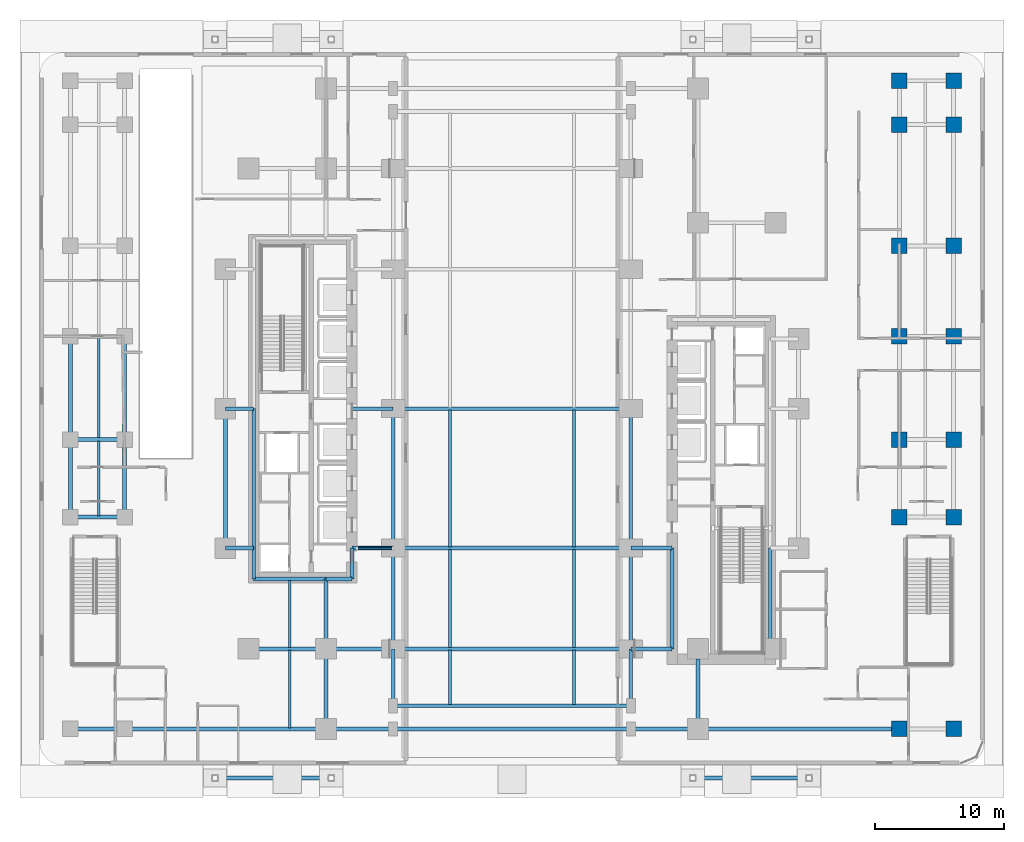
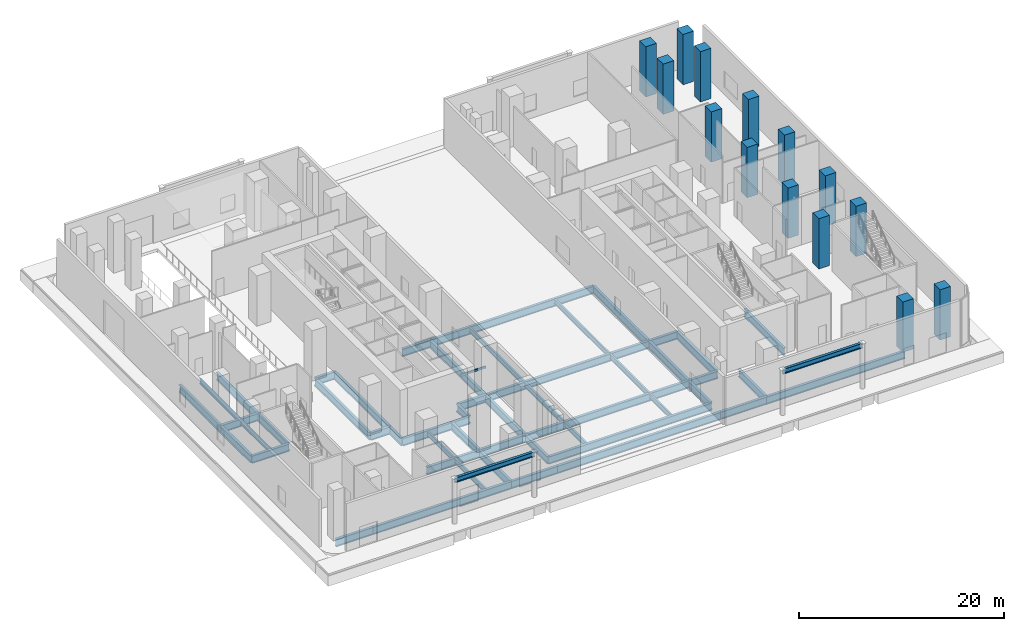
# One storey, part 4 of 22: 54 beams, 14 columns.
"""IFC4 building model written with IfcOpenShell, lengths in metres."""

from ifc_helpers import new_model, si_unit, direction, frame, origin, origin_2d, place, context, subcontext, project, spatial, rectangle, hollow_rectangle, i_section, extrude, material, material_profile, profile_set, type_object, element, save


model = new_model("IFC4")

# Units and contexts
model_context = context("Model", 3, precision=1e-05, world=origin(), true_north=direction((0.0, 1.0)))
body_context = subcontext(model_context, "Body", "Model", "MODEL_VIEW")
ifc_project = project(units=[si_unit("LENGTHUNIT", "METRE"), si_unit("AREAUNIT", "SQUARE_METRE"), si_unit("VOLUMEUNIT", "CUBIC_METRE"), si_unit("PLANEANGLEUNIT", "RADIAN"), si_unit("MASSUNIT", "GRAM", prefix="KILO")], contexts=[model_context])

# Site, building, storey
site_placement = place(None, origin())
site = spatial("IfcSite", under=ifc_project, at=site_placement, CompositionType="ELEMENT")
building_placement = place(site_placement, origin())
building = spatial("IfcBuilding", under=site, at=building_placement, Name="Khairoan Windgate Tower", CompositionType="ELEMENT")
storey_placement = place(building_placement, origin())
storey = spatial("IfcBuildingStorey", under=building, at=storey_placement, Name="L01", CompositionType="ELEMENT", Elevation=0.0)

# Columns
ifc_material_1 = material(Name="Concrete C60/75", Category="concrete")
ifc_material_profile_1 = material_profile(ifc_material_1, rectangle(XDim=1.199951171875, YDim=1.199951171875, at=origin_2d()))
ifc_profile_set_1 = profile_set([ifc_material_profile_1], Name="Concrete C60/75")
column_type = type_object("IfcColumnType", Name="Column C-T3 RC1200x1200", PredefinedType="COLUMN", material=ifc_profile_set_1)
for number, where, z_axis, x_axis, name in (
    (1, (30.0, -24.800048828125, 0.0), (0.0, 0.0, 1.0), (1.0, 0.0, 0.0), "Column L01-35"),
    (2, (30.0, -8.39990234375, 0.0), (0.0, 0.0, 1.0), (1.0, 0.0, 0.0), "Column L01-37"),
    (3, (30.0, -2.39990234375, 0.0), (0.0, 0.0, 1.0), (1.0, 0.0, 0.0), "Column L01-38"),
    (4, (30.0, 5.60009765625, 0.0), (0.0, 0.0, 1.0), (1.0, 0.0, 0.0), "Column L01-39"),
    (5, (30.0, 12.60009765625, 0.0), (0.0, 0.0, 1.0), (1.0, 0.0, 0.0), "Column L01-40"),
    (6, (30.0, 22.0, 0.0), (0.0, 0.0, 1.0), (1.0, 0.0, 0.0), "Column L01-41"),
    (7, (30.0, 25.39990234375, 0.0), (0.0, 0.0, 1.0), (1.0, 0.0, 0.0), "Column L01-42"),
    (8, (34.199951171875, -24.800048828125, 0.0), (0.0, 0.0, 1.0), (1.0, 0.0, 0.0), "Column L01-43"),
    (9, (34.199951171875, -8.39990234375, 0.0), (0.0, 0.0, 1.0), (1.0, 0.0, 0.0), "Column L01-45"),
    (10, (34.199951171875, -2.39990234375, 0.0), (0.0, 0.0, 1.0), (1.0, 0.0, 0.0), "Column L01-46"),
    (11, (34.199951171875, 5.60009765625, 0.0), (0.0, 0.0, 1.0), (1.0, 0.0, 0.0), "Column L01-47"),
    (12, (34.199951171875, 12.60009765625, 0.0), (0.0, 0.0, 1.0), (1.0, 0.0, 0.0), "Column L01-48"),
    (13, (34.199951171875, 22.0, 0.0), (0.0, 0.0, 1.0), (1.0, 0.0, 0.0), "Column L01-49"),
    (14, (34.199951171875, 25.39990234375, 0.0), (0.0, 0.0, 1.0), (1.0, 0.0, 0.0), "Column L01-50"),
):
    element("IfcColumn", number, at=place(storey_placement, frame(where, z_axis=z_axis, x_axis=x_axis)), inside=storey, type_object=column_type, Name=name, PredefinedType="COLUMN", context=body_context, shape_type="SweptSolid", body=[
        extrude(rectangle(XDim=1.199951171875, YDim=1.199951171875, at=origin_2d()), origin(), (0.0, 0.0, 1.0), 6.0),
    ])

# Beams
ifc_material_2 = material(Name="Steel S355", Category="steel")
ifc_material_profile_2 = material_profile(ifc_material_2, i_section(OverallWidth=0.300048828125, OverallDepth=0.89990234375, WebThickness=0.01611328125, FlangeThickness=0.028076171875, FilletRadius=0.028076171875, at=origin_2d()))
ifc_profile_set_2 = profile_set([ifc_material_profile_2], Name="Steel S355")
beam_type_1 = type_object("IfcBeamType", Name="Beam B-G1 H900x300x16x28", PredefinedType="BEAM", material=ifc_profile_set_2)
beam_1_placement = place(storey_placement, frame((-34.199951171875, -24.800048828125, -0.75), z_axis=(1.0, 0.0, 0.0), x_axis=(0.0, 1.0, 0.0)))
element("IfcBeam", 15, at=beam_1_placement, inside=storey, type_object=beam_type_1, Name="L01 E-W Primary Girder 01", PredefinedType="BEAM", context=body_context, shape_type="SweptSolid", body=[
    extrude(i_section(OverallWidth=0.300048828125, OverallDepth=0.89990234375, WebThickness=0.01611328125, FlangeThickness=0.028076171875, FilletRadius=0.028076171875, at=origin_2d()), origin(), (0.0, 0.0, 1.0), 4.199951171875),
])
beam_2_placement = place(storey_placement, frame((-30.0, -24.800048828125, -0.75), z_axis=(1.0, 0.0, 0.0), x_axis=(0.0, 1.0, 0.0)))
element("IfcBeam", 16, at=beam_2_placement, inside=storey, type_object=beam_type_1, Name="L01 E-W Primary Girder 02", PredefinedType="BEAM", context=body_context, shape_type="SweptSolid", body=[
    extrude(i_section(OverallWidth=0.300048828125, OverallDepth=0.89990234375, WebThickness=0.01611328125, FlangeThickness=0.028076171875, FilletRadius=0.028076171875, at=origin_2d()), origin(), (0.0, 0.0, 1.0), 15.60009765625),
])
beam_3_placement = place(storey_placement, frame((-14.39990234375, -24.800048828125, -0.75), z_axis=(1.0, 0.0, 0.0), x_axis=(0.0, 1.0, 0.0)))
element("IfcBeam", 17, at=beam_3_placement, inside=storey, type_object=beam_type_1, Name="L01 E-W Primary Girder 03", PredefinedType="BEAM", context=body_context, shape_type="SweptSolid", body=[
    extrude(i_section(OverallWidth=0.300048828125, OverallDepth=0.89990234375, WebThickness=0.01611328125, FlangeThickness=0.028076171875, FilletRadius=0.028076171875, at=origin_2d()), origin(), (0.0, 0.0, 1.0), 5.199951171875),
])
beam_4_placement = place(storey_placement, frame((-9.199951171875, -24.800048828125, -0.75), z_axis=(1.0, 0.0, 0.0), x_axis=(0.0, 1.0, 0.0)))
element("IfcBeam", 18, at=beam_4_placement, inside=storey, type_object=beam_type_1, Name="L01 E-W Primary Girder 04", PredefinedType="BEAM", context=body_context, shape_type="SweptSolid", body=[
    extrude(i_section(OverallWidth=0.300048828125, OverallDepth=0.89990234375, WebThickness=0.01611328125, FlangeThickness=0.028076171875, FilletRadius=0.028076171875, at=origin_2d()), origin(), (0.0, 0.0, 1.0), 18.39990234375),
])
beam_5_placement = place(storey_placement, frame((9.199951171875, -24.800048828125, -0.75), z_axis=(1.0, 0.0, 0.0), x_axis=(0.0, 1.0, 0.0)))
element("IfcBeam", 19, at=beam_5_placement, inside=storey, type_object=beam_type_1, Name="L01 E-W Primary Girder 05", PredefinedType="BEAM", context=body_context, shape_type="SweptSolid", body=[
    extrude(i_section(OverallWidth=0.300048828125, OverallDepth=0.89990234375, WebThickness=0.01611328125, FlangeThickness=0.028076171875, FilletRadius=0.028076171875, at=origin_2d()), origin(), (0.0, 0.0, 1.0), 5.199951171875),
])
beam_6_placement = place(storey_placement, frame((14.39990234375, -24.800048828125, -0.75), z_axis=(1.0, 0.0, 0.0), x_axis=(0.0, 1.0, 0.0)))
element("IfcBeam", 20, at=beam_6_placement, inside=storey, type_object=beam_type_1, Name="L01 E-W Primary Girder 06", PredefinedType="BEAM", context=body_context, shape_type="SweptSolid", body=[
    extrude(i_section(OverallWidth=0.300048828125, OverallDepth=0.89990234375, WebThickness=0.01611328125, FlangeThickness=0.028076171875, FilletRadius=0.028076171875, at=origin_2d()), origin(), (0.0, 0.0, 1.0), 15.60009765625),
])
beam_7_placement = place(storey_placement, frame((-9.199951171875, -23.0, -0.75), z_axis=(1.0, 0.0, 0.0), x_axis=(0.0, 1.0, 0.0)))
element("IfcBeam", 21, at=beam_7_placement, inside=storey, type_object=beam_type_1, Name="L01 E-W Primary Girder 08", PredefinedType="BEAM", context=body_context, shape_type="SweptSolid", body=[
    extrude(i_section(OverallWidth=0.300048828125, OverallDepth=0.89990234375, WebThickness=0.01611328125, FlangeThickness=0.028076171875, FilletRadius=0.028076171875, at=origin_2d()), origin(), (0.0, 0.0, 1.0), 18.39990234375),
])
beam_8_placement = place(storey_placement, frame((-20.39990234375, -18.60009765625, -0.75), z_axis=(1.0, 0.0, 0.0), x_axis=(0.0, 1.0, 0.0)))
element("IfcBeam", 22, at=beam_8_placement, inside=storey, type_object=beam_type_1, Name="L01 E-W Primary Girder 09", PredefinedType="BEAM", context=body_context, shape_type="SweptSolid", body=[
    extrude(i_section(OverallWidth=0.300048828125, OverallDepth=0.89990234375, WebThickness=0.01611328125, FlangeThickness=0.028076171875, FilletRadius=0.028076171875, at=origin_2d()), origin(), (0.0, 0.0, 1.0), 6.0),
])
beam_9_placement = place(storey_placement, frame((-14.39990234375, -18.60009765625, -0.75), z_axis=(1.0, 0.0, 0.0), x_axis=(0.0, 1.0, 0.0)))
element("IfcBeam", 23, at=beam_9_placement, inside=storey, type_object=beam_type_1, Name="L01 E-W Primary Girder 10", PredefinedType="BEAM", context=body_context, shape_type="SweptSolid", body=[
    extrude(i_section(OverallWidth=0.300048828125, OverallDepth=0.89990234375, WebThickness=0.01611328125, FlangeThickness=0.028076171875, FilletRadius=0.028076171875, at=origin_2d()), origin(), (0.0, 0.0, 1.0), 5.199951171875),
])
beam_10_placement = place(storey_placement, frame((-9.199951171875, -18.60009765625, -0.75), z_axis=(1.0, 0.0, 0.0), x_axis=(0.0, 1.0, 0.0)))
element("IfcBeam", 24, at=beam_10_placement, inside=storey, type_object=beam_type_1, Name="L01 E-W Primary Girder 11", PredefinedType="BEAM", context=body_context, shape_type="SweptSolid", body=[
    extrude(i_section(OverallWidth=0.300048828125, OverallDepth=0.89990234375, WebThickness=0.01611328125, FlangeThickness=0.028076171875, FilletRadius=0.028076171875, at=origin_2d()), origin(), (0.0, 0.0, 1.0), 18.39990234375),
])
beam_11_placement = place(storey_placement, frame((9.199951171875, -18.60009765625, -0.75), z_axis=(1.0, 0.0, 0.0), x_axis=(0.0, 1.0, 0.0)))
element("IfcBeam", 25, at=beam_11_placement, inside=storey, type_object=beam_type_1, Name="L01 E-W Primary Girder 12", PredefinedType="BEAM", context=body_context, shape_type="SweptSolid", body=[
    extrude(i_section(OverallWidth=0.300048828125, OverallDepth=0.89990234375, WebThickness=0.01611328125, FlangeThickness=0.028076171875, FilletRadius=0.028076171875, at=origin_2d()), origin(), (0.0, 0.0, 1.0), 3.199951171875),
])
beam_12_placement = place(storey_placement, frame((-20.0, -13.199951171875, -0.75), z_axis=(1.0, 0.0, 0.0), x_axis=(0.0, 1.0, 0.0)))
element("IfcBeam", 26, at=beam_12_placement, inside=storey, type_object=beam_type_1, Name="L01 E-W Primary Girder 13", PredefinedType="BEAM", context=body_context, shape_type="SweptSolid", body=[
    extrude(i_section(OverallWidth=0.300048828125, OverallDepth=0.89990234375, WebThickness=0.01611328125, FlangeThickness=0.028076171875, FilletRadius=0.028076171875, at=origin_2d()), origin(), (0.0, 0.0, 1.0), 5.60009765625),
])
beam_13_placement = place(storey_placement, frame((-14.39990234375, -13.199951171875, -0.75), z_axis=(1.0, 0.0, 0.0), x_axis=(0.0, 1.0, 0.0)))
element("IfcBeam", 27, at=beam_13_placement, inside=storey, type_object=beam_type_1, Name="L01 E-W Primary Girder 14", PredefinedType="BEAM", context=body_context, shape_type="SweptSolid", body=[
    extrude(i_section(OverallWidth=0.300048828125, OverallDepth=0.89990234375, WebThickness=0.01611328125, FlangeThickness=0.028076171875, FilletRadius=0.028076171875, at=origin_2d()), origin(), (0.0, 0.0, 1.0), 2.0),
])
beam_14_placement = place(storey_placement, frame((-22.199951171875, -10.800048828125, -0.75), z_axis=(1.0, 0.0, 0.0), x_axis=(0.0, 1.0, 0.0)))
element("IfcBeam", 28, at=beam_14_placement, inside=storey, type_object=beam_type_1, Name="L01 E-W Primary Girder 15", PredefinedType="BEAM", context=body_context, shape_type="SweptSolid", body=[
    extrude(i_section(OverallWidth=0.300048828125, OverallDepth=0.89990234375, WebThickness=0.01611328125, FlangeThickness=0.028076171875, FilletRadius=0.028076171875, at=origin_2d()), origin(), (0.0, 0.0, 1.0), 2.199951171875),
])
beam_15_placement = place(storey_placement, frame((-12.39990234375, -10.800048828125, -0.75), z_axis=(1.0, 0.0, 0.0), x_axis=(0.0, 1.0, 0.0)))
element("IfcBeam", 29, at=beam_15_placement, inside=storey, type_object=beam_type_1, Name="L01 E-W Primary Girder 16", PredefinedType="BEAM", context=body_context, shape_type="SweptSolid", body=[
    extrude(i_section(OverallWidth=0.300048828125, OverallDepth=0.89990234375, WebThickness=0.01611328125, FlangeThickness=0.028076171875, FilletRadius=0.028076171875, at=origin_2d()), origin(), (0.0, 0.0, 1.0), 3.199951171875),
])
beam_16_placement = place(storey_placement, frame((-9.199951171875, -10.800048828125, -0.75), z_axis=(1.0, 0.0, 0.0), x_axis=(0.0, 1.0, 0.0)))
element("IfcBeam", 30, at=beam_16_placement, inside=storey, type_object=beam_type_1, Name="L01 E-W Primary Girder 17", PredefinedType="BEAM", context=body_context, shape_type="SweptSolid", body=[
    extrude(i_section(OverallWidth=0.300048828125, OverallDepth=0.89990234375, WebThickness=0.01611328125, FlangeThickness=0.028076171875, FilletRadius=0.028076171875, at=origin_2d()), origin(), (0.0, 0.0, 1.0), 18.39990234375),
])
beam_17_placement = place(storey_placement, frame((9.199951171875, -10.800048828125, -0.75), z_axis=(1.0, 0.0, 0.0), x_axis=(0.0, 1.0, 0.0)))
element("IfcBeam", 31, at=beam_17_placement, inside=storey, type_object=beam_type_1, Name="L01 E-W Primary Girder 18", PredefinedType="BEAM", context=body_context, shape_type="SweptSolid", body=[
    extrude(i_section(OverallWidth=0.300048828125, OverallDepth=0.89990234375, WebThickness=0.01611328125, FlangeThickness=0.028076171875, FilletRadius=0.028076171875, at=origin_2d()), origin(), (0.0, 0.0, 1.0), 3.199951171875),
])
for number, where, z_axis, x_axis, name in (
    (32, (-34.199951171875, -8.39990234375, -0.75), (1.0, 0.0, 0.0), (0.0, 1.0, 0.0), "L01 E-W Primary Girder 20"),
    (33, (-34.199951171875, -2.39990234375, -0.75), (1.0, 0.0, 0.0), (0.0, 1.0, 0.0), "L01 E-W Primary Girder 22"),
):
    element("IfcBeam", number, at=place(storey_placement, frame(where, z_axis=z_axis, x_axis=x_axis)), inside=storey, type_object=beam_type_1, Name=name, PredefinedType="BEAM", context=body_context, shape_type="SweptSolid", body=[
        extrude(i_section(OverallWidth=0.300048828125, OverallDepth=0.89990234375, WebThickness=0.01611328125, FlangeThickness=0.028076171875, FilletRadius=0.028076171875, at=origin_2d()), origin(), (0.0, 0.0, 1.0), 4.199951171875),
    ])
beam_18_placement = place(storey_placement, frame((-22.199951171875, 0.0, -0.75), z_axis=(1.0, 0.0, 0.0), x_axis=(0.0, 1.0, 0.0)))
element("IfcBeam", 34, at=beam_18_placement, inside=storey, type_object=beam_type_1, Name="L01 E-W Primary Girder 24", PredefinedType="BEAM", context=body_context, shape_type="SweptSolid", body=[
    extrude(i_section(OverallWidth=0.300048828125, OverallDepth=0.89990234375, WebThickness=0.01611328125, FlangeThickness=0.028076171875, FilletRadius=0.028076171875, at=origin_2d()), origin(), (0.0, 0.0, 1.0), 2.199951171875),
])
beam_19_placement = place(storey_placement, frame((-12.39990234375, 0.0, -0.75), z_axis=(1.0, 0.0, 0.0), x_axis=(0.0, 1.0, 0.0)))
element("IfcBeam", 35, at=beam_19_placement, inside=storey, type_object=beam_type_1, Name="L01 E-W Primary Girder 25", PredefinedType="BEAM", context=body_context, shape_type="SweptSolid", body=[
    extrude(i_section(OverallWidth=0.300048828125, OverallDepth=0.89990234375, WebThickness=0.01611328125, FlangeThickness=0.028076171875, FilletRadius=0.028076171875, at=origin_2d()), origin(), (0.0, 0.0, 1.0), 3.199951171875),
])
beam_20_placement = place(storey_placement, frame((-9.199951171875, 0.0, -0.75), z_axis=(1.0, 0.0, 0.0), x_axis=(0.0, 1.0, 0.0)))
element("IfcBeam", 36, at=beam_20_placement, inside=storey, type_object=beam_type_1, Name="L01 E-W Primary Girder 26", PredefinedType="BEAM", context=body_context, shape_type="SweptSolid", body=[
    extrude(i_section(OverallWidth=0.300048828125, OverallDepth=0.89990234375, WebThickness=0.01611328125, FlangeThickness=0.028076171875, FilletRadius=0.028076171875, at=origin_2d()), origin(), (0.0, 0.0, 1.0), 18.39990234375),
])
beam_21_placement = place(storey_placement, frame((-34.199951171875, -8.39990234375, -0.75), z_axis=(0.0, 1.0, 0.0), x_axis=(-1.0, 0.0, 0.0)))
element("IfcBeam", 37, at=beam_21_placement, inside=storey, type_object=beam_type_1, Name="L01 N-S Primary Beam 52", PredefinedType="BEAM", context=body_context, shape_type="SweptSolid", body=[
    extrude(i_section(OverallWidth=0.300048828125, OverallDepth=0.89990234375, WebThickness=0.01611328125, FlangeThickness=0.028076171875, FilletRadius=0.028076171875, at=origin_2d()), origin(), (0.0, 0.0, 1.0), 6.0),
])
beam_22_placement = place(storey_placement, frame((-34.199951171875, -2.39990234375, -0.75), z_axis=(0.0, 1.0, 0.0), x_axis=(-1.0, 0.0, 0.0)))
element("IfcBeam", 38, at=beam_22_placement, inside=storey, type_object=beam_type_1, Name="L01 N-S Primary Beam 53", PredefinedType="BEAM", context=body_context, shape_type="SweptSolid", body=[
    extrude(i_section(OverallWidth=0.300048828125, OverallDepth=0.89990234375, WebThickness=0.01611328125, FlangeThickness=0.028076171875, FilletRadius=0.028076171875, at=origin_2d()), origin(), (0.0, 0.0, 1.0), 8.0),
])
beam_23_placement = place(storey_placement, frame((-30.0, -8.39990234375, -0.75), z_axis=(0.0, 1.0, 0.0), x_axis=(-1.0, 0.0, 0.0)))
element("IfcBeam", 39, at=beam_23_placement, inside=storey, type_object=beam_type_1, Name="L01 N-S Primary Beam 57", PredefinedType="BEAM", context=body_context, shape_type="SweptSolid", body=[
    extrude(i_section(OverallWidth=0.300048828125, OverallDepth=0.89990234375, WebThickness=0.01611328125, FlangeThickness=0.028076171875, FilletRadius=0.028076171875, at=origin_2d()), origin(), (0.0, 0.0, 1.0), 6.0),
])
beam_24_placement = place(storey_placement, frame((-30.0, -2.39990234375, -0.75), z_axis=(0.0, 1.0, 0.0), x_axis=(-1.0, 0.0, 0.0)))
element("IfcBeam", 40, at=beam_24_placement, inside=storey, type_object=beam_type_1, Name="L01 N-S Primary Beam 58", PredefinedType="BEAM", context=body_context, shape_type="SweptSolid", body=[
    extrude(i_section(OverallWidth=0.300048828125, OverallDepth=0.89990234375, WebThickness=0.01611328125, FlangeThickness=0.028076171875, FilletRadius=0.028076171875, at=origin_2d()), origin(), (0.0, 0.0, 1.0), 8.0),
])
beam_25_placement = place(storey_placement, frame((-22.199951171875, -10.800048828125, -0.75), z_axis=(0.0, 1.0, 0.0), x_axis=(-1.0, 0.0, 0.0)))
element("IfcBeam", 41, at=beam_25_placement, inside=storey, type_object=beam_type_1, Name="L01 N-S Primary Beam 62", PredefinedType="BEAM", context=body_context, shape_type="SweptSolid", body=[
    extrude(i_section(OverallWidth=0.300048828125, OverallDepth=0.89990234375, WebThickness=0.01611328125, FlangeThickness=0.028076171875, FilletRadius=0.028076171875, at=origin_2d()), origin(), (0.0, 0.0, 1.0), 10.800048828125),
])
beam_26_placement = place(storey_placement, frame((-20.0, -13.199951171875, -0.75), z_axis=(0.0, 1.0, 0.0), x_axis=(-1.0, 0.0, 0.0)))
element("IfcBeam", 42, at=beam_26_placement, inside=storey, type_object=beam_type_1, Name="L01 N-S Primary Beam 64", PredefinedType="BEAM", context=body_context, shape_type="SweptSolid", body=[
    extrude(i_section(OverallWidth=0.300048828125, OverallDepth=0.89990234375, WebThickness=0.01611328125, FlangeThickness=0.028076171875, FilletRadius=0.028076171875, at=origin_2d()), origin(), (0.0, 0.0, 1.0), 2.39990234375),
])
beam_27_placement = place(storey_placement, frame((-20.0, -10.800048828125, -0.75), z_axis=(0.0, 1.0, 0.0), x_axis=(-1.0, 0.0, 0.0)))
element("IfcBeam", 43, at=beam_27_placement, inside=storey, type_object=beam_type_1, Name="L01 N-S Primary Beam 65", PredefinedType="BEAM", context=body_context, shape_type="SweptSolid", body=[
    extrude(i_section(OverallWidth=0.300048828125, OverallDepth=0.89990234375, WebThickness=0.01611328125, FlangeThickness=0.028076171875, FilletRadius=0.028076171875, at=origin_2d()), origin(), (0.0, 0.0, 1.0), 10.800048828125),
])
beam_28_placement = place(storey_placement, frame((-14.39990234375, -24.800048828125, -0.75), z_axis=(0.0, 1.0, 0.0), x_axis=(-1.0, 0.0, 0.0)))
element("IfcBeam", 44, at=beam_28_placement, inside=storey, type_object=beam_type_1, Name="L01 N-S Primary Beam 68", PredefinedType="BEAM", context=body_context, shape_type="SweptSolid", body=[
    extrude(i_section(OverallWidth=0.300048828125, OverallDepth=0.89990234375, WebThickness=0.01611328125, FlangeThickness=0.028076171875, FilletRadius=0.028076171875, at=origin_2d()), origin(), (0.0, 0.0, 1.0), 6.199951171875),
])
beam_29_placement = place(storey_placement, frame((-14.39990234375, -18.60009765625, -0.75), z_axis=(0.0, 1.0, 0.0), x_axis=(-1.0, 0.0, 0.0)))
element("IfcBeam", 45, at=beam_29_placement, inside=storey, type_object=beam_type_1, Name="L01 N-S Primary Beam 69", PredefinedType="BEAM", context=body_context, shape_type="SweptSolid", body=[
    extrude(i_section(OverallWidth=0.300048828125, OverallDepth=0.89990234375, WebThickness=0.01611328125, FlangeThickness=0.028076171875, FilletRadius=0.028076171875, at=origin_2d()), origin(), (0.0, 0.0, 1.0), 5.400146484375),
])
beam_30_placement = place(storey_placement, frame((-12.39990234375, -13.199951171875, -0.75), z_axis=(0.0, 1.0, 0.0), x_axis=(-1.0, 0.0, 0.0)))
element("IfcBeam", 46, at=beam_30_placement, inside=storey, type_object=beam_type_1, Name="L01 N-S Primary Beam 72", PredefinedType="BEAM", context=body_context, shape_type="SweptSolid", body=[
    extrude(i_section(OverallWidth=0.300048828125, OverallDepth=0.89990234375, WebThickness=0.01611328125, FlangeThickness=0.028076171875, FilletRadius=0.028076171875, at=origin_2d()), origin(), (0.0, 0.0, 1.0), 2.39990234375),
])
beam_31_placement = place(storey_placement, frame((-9.199951171875, -23.0, -0.75), z_axis=(0.0, 1.0, 0.0), x_axis=(-1.0, 0.0, 0.0)))
element("IfcBeam", 47, at=beam_31_placement, inside=storey, type_object=beam_type_1, Name="L01 N-S Primary Beam 74", PredefinedType="BEAM", context=body_context, shape_type="SweptSolid", body=[
    extrude(i_section(OverallWidth=0.300048828125, OverallDepth=0.89990234375, WebThickness=0.01611328125, FlangeThickness=0.028076171875, FilletRadius=0.028076171875, at=origin_2d()), origin(), (0.0, 0.0, 1.0), 4.39990234375),
])
beam_32_placement = place(storey_placement, frame((-9.199951171875, -18.60009765625, -0.75), z_axis=(0.0, 1.0, 0.0), x_axis=(-1.0, 0.0, 0.0)))
element("IfcBeam", 48, at=beam_32_placement, inside=storey, type_object=beam_type_1, Name="L01 N-S Primary Beam 75", PredefinedType="BEAM", context=body_context, shape_type="SweptSolid", body=[
    extrude(i_section(OverallWidth=0.300048828125, OverallDepth=0.89990234375, WebThickness=0.01611328125, FlangeThickness=0.028076171875, FilletRadius=0.028076171875, at=origin_2d()), origin(), (0.0, 0.0, 1.0), 7.800048828125),
])
beam_33_placement = place(storey_placement, frame((-9.199951171875, -10.800048828125, -0.75), z_axis=(0.0, 1.0, 0.0), x_axis=(-1.0, 0.0, 0.0)))
element("IfcBeam", 49, at=beam_33_placement, inside=storey, type_object=beam_type_1, Name="L01 N-S Primary Beam 76", PredefinedType="BEAM", context=body_context, shape_type="SweptSolid", body=[
    extrude(i_section(OverallWidth=0.300048828125, OverallDepth=0.89990234375, WebThickness=0.01611328125, FlangeThickness=0.028076171875, FilletRadius=0.028076171875, at=origin_2d()), origin(), (0.0, 0.0, 1.0), 10.800048828125),
])
beam_34_placement = place(storey_placement, frame((9.199951171875, -23.0, -0.75), z_axis=(0.0, 1.0, 0.0), x_axis=(-1.0, 0.0, 0.0)))
element("IfcBeam", 50, at=beam_34_placement, inside=storey, type_object=beam_type_1, Name="L01 N-S Primary Beam 80", PredefinedType="BEAM", context=body_context, shape_type="SweptSolid", body=[
    extrude(i_section(OverallWidth=0.300048828125, OverallDepth=0.89990234375, WebThickness=0.01611328125, FlangeThickness=0.028076171875, FilletRadius=0.028076171875, at=origin_2d()), origin(), (0.0, 0.0, 1.0), 4.39990234375),
])
beam_35_placement = place(storey_placement, frame((9.199951171875, -18.60009765625, -0.75), z_axis=(0.0, 1.0, 0.0), x_axis=(-1.0, 0.0, 0.0)))
element("IfcBeam", 51, at=beam_35_placement, inside=storey, type_object=beam_type_1, Name="L01 N-S Primary Beam 81", PredefinedType="BEAM", context=body_context, shape_type="SweptSolid", body=[
    extrude(i_section(OverallWidth=0.300048828125, OverallDepth=0.89990234375, WebThickness=0.01611328125, FlangeThickness=0.028076171875, FilletRadius=0.028076171875, at=origin_2d()), origin(), (0.0, 0.0, 1.0), 7.800048828125),
])
beam_36_placement = place(storey_placement, frame((9.199951171875, -10.800048828125, -0.75), z_axis=(0.0, 1.0, 0.0), x_axis=(-1.0, 0.0, 0.0)))
element("IfcBeam", 52, at=beam_36_placement, inside=storey, type_object=beam_type_1, Name="L01 N-S Primary Beam 82", PredefinedType="BEAM", context=body_context, shape_type="SweptSolid", body=[
    extrude(i_section(OverallWidth=0.300048828125, OverallDepth=0.89990234375, WebThickness=0.01611328125, FlangeThickness=0.028076171875, FilletRadius=0.028076171875, at=origin_2d()), origin(), (0.0, 0.0, 1.0), 10.800048828125),
])
beam_37_placement = place(storey_placement, frame((12.39990234375, -18.60009765625, -0.75), z_axis=(0.0, 1.0, 0.0), x_axis=(-1.0, 0.0, 0.0)))
element("IfcBeam", 53, at=beam_37_placement, inside=storey, type_object=beam_type_1, Name="L01 N-S Primary Beam 86", PredefinedType="BEAM", context=body_context, shape_type="SweptSolid", body=[
    extrude(i_section(OverallWidth=0.300048828125, OverallDepth=0.89990234375, WebThickness=0.01611328125, FlangeThickness=0.028076171875, FilletRadius=0.028076171875, at=origin_2d()), origin(), (0.0, 0.0, 1.0), 7.800048828125),
])
beam_38_placement = place(storey_placement, frame((14.39990234375, -24.800048828125, -0.75), z_axis=(0.0, 1.0, 0.0), x_axis=(-1.0, 0.0, 0.0)))
element("IfcBeam", 54, at=beam_38_placement, inside=storey, type_object=beam_type_1, Name="L01 N-S Primary Beam 87", PredefinedType="BEAM", context=body_context, shape_type="SweptSolid", body=[
    extrude(i_section(OverallWidth=0.300048828125, OverallDepth=0.89990234375, WebThickness=0.01611328125, FlangeThickness=0.028076171875, FilletRadius=0.028076171875, at=origin_2d()), origin(), (0.0, 0.0, 1.0), 5.400146484375),
])
beam_39_placement = place(storey_placement, frame((20.0, -18.60009765625, -0.75), z_axis=(0.0, 1.0, 0.0), x_axis=(-1.0, 0.0, 0.0)))
element("IfcBeam", 55, at=beam_39_placement, inside=storey, type_object=beam_type_1, Name="L01 N-S Primary Beam 90", PredefinedType="BEAM", context=body_context, shape_type="SweptSolid", body=[
    extrude(i_section(OverallWidth=0.300048828125, OverallDepth=0.89990234375, WebThickness=0.01611328125, FlangeThickness=0.028076171875, FilletRadius=0.028076171875, at=origin_2d()), origin(), (0.0, 0.0, 1.0), 7.800048828125),
])
ifc_material_3 = material(Name="Steel S355", Category="steel")
ifc_material_profile_3 = material_profile(ifc_material_3, i_section(OverallWidth=0.300048828125, OverallDepth=0.587890625, WebThickness=0.011962890625, FlangeThickness=0.02001953125, FilletRadius=0.02392578125, at=origin_2d()))
ifc_profile_set_3 = profile_set([ifc_material_profile_3], Name="Steel S355")
beam_type_2 = type_object("IfcBeamType", Name="Beam B-G4 H588x300x12x20", PredefinedType="BEAM", material=ifc_profile_set_3)
for number, where, z_axis, x_axis, name in (
    (56, (-23.0, -28.60009765625, 5.10595703125), (1.0, 0.0, 0.0), (0.0, 1.0, 0.0), "Plaza Canopy Edge Girder S"),
    (57, (14.0, -28.60009765625, 5.10595703125), (1.0, 0.0, 0.0), (0.0, 1.0, 0.0), "Plaza Canopy Edge Girder S"),
):
    element("IfcBeam", number, at=place(storey_placement, frame(where, z_axis=z_axis, x_axis=x_axis)), inside=storey, type_object=beam_type_2, Name=name, PredefinedType="BEAM", context=body_context, shape_type="SweptSolid", body=[
        extrude(i_section(OverallWidth=0.300048828125, OverallDepth=0.587890625, WebThickness=0.011962890625, FlangeThickness=0.02001953125, FilletRadius=0.02392578125, at=origin_2d()), origin(), (0.0, 0.0, 1.0), 9.0),
    ])
ifc_material_4 = material(Name="Steel S355", Category="steel")
ifc_material_profile_4 = material_profile(ifc_material_4, i_section(OverallWidth=0.199951171875, OverallDepth=0.60009765625, WebThickness=0.010986328125, FlangeThickness=0.01708984375, FilletRadius=0.02197265625, at=origin_2d()))
ifc_profile_set_4 = profile_set([ifc_material_profile_4], Name="Steel S355")
beam_type_3 = type_object("IfcBeamType", Name="Beam J-S1 H600x200x11x17", PredefinedType="JOIST", material=ifc_profile_set_4)
beam_40_placement = place(storey_placement, frame((-32.0, -8.31005859375, -0.60009765625), z_axis=(0.0, 1.0, 0.0), x_axis=(-1.0, 0.0, 0.0)))
element("IfcBeam", 58, at=beam_40_placement, inside=storey, type_object=beam_type_3, Name="L01 Secondary Floor Joist 01", PredefinedType="JOIST", context=body_context, shape_type="SweptSolid", body=[
    extrude(i_section(OverallWidth=0.199951171875, OverallDepth=0.60009765625, WebThickness=0.010986328125, FlangeThickness=0.01708984375, FilletRadius=0.02197265625, at=origin_2d()), origin(), (0.0, 0.0, 1.0), 5.820068359375),
])
beam_41_placement = place(storey_placement, frame((-32.0, -2.31005859375, -0.60009765625), z_axis=(0.0, 1.0, 0.0), x_axis=(-1.0, 0.0, 0.0)))
element("IfcBeam", 59, at=beam_41_placement, inside=storey, type_object=beam_type_3, Name="L01 Secondary Floor Joist 02", PredefinedType="JOIST", context=body_context, shape_type="SweptSolid", body=[
    extrude(i_section(OverallWidth=0.199951171875, OverallDepth=0.60009765625, WebThickness=0.010986328125, FlangeThickness=0.01708984375, FilletRadius=0.02197265625, at=origin_2d()), origin(), (0.0, 0.0, 1.0), 7.820068359375),
])
beam_42_placement = place(storey_placement, frame((-17.199951171875, -24.7099609375, -0.60009765625), z_axis=(0.0, 1.0, 0.0), x_axis=(-1.0, 0.0, 0.0)))
element("IfcBeam", 60, at=beam_42_placement, inside=storey, type_object=beam_type_3, Name="L01 Secondary Floor Joist 06", PredefinedType="JOIST", context=body_context, shape_type="SweptSolid", body=[
    extrude(i_section(OverallWidth=0.199951171875, OverallDepth=0.60009765625, WebThickness=0.010986328125, FlangeThickness=0.01708984375, FilletRadius=0.02197265625, at=origin_2d()), origin(), (0.0, 0.0, 1.0), 6.02001953125),
])
beam_43_placement = place(storey_placement, frame((-17.199951171875, -18.510009765625, -0.60009765625), z_axis=(0.0, 1.0, 0.0), x_axis=(-1.0, 0.0, 0.0)))
element("IfcBeam", 61, at=beam_43_placement, inside=storey, type_object=beam_type_3, Name="L01 Secondary Floor Joist 07", PredefinedType="JOIST", context=body_context, shape_type="SweptSolid", body=[
    extrude(i_section(OverallWidth=0.199951171875, OverallDepth=0.60009765625, WebThickness=0.010986328125, FlangeThickness=0.01708984375, FilletRadius=0.02197265625, at=origin_2d()), origin(), (0.0, 0.0, 1.0), 5.219970703125),
])
beam_44_placement = place(storey_placement, frame((-4.800048828125, -22.909912109375, -0.60009765625), z_axis=(0.0, 1.0, 0.0), x_axis=(-1.0, 0.0, 0.0)))
element("IfcBeam", 62, at=beam_44_placement, inside=storey, type_object=beam_type_3, Name="L01 Secondary Floor Joist 09", PredefinedType="JOIST", context=body_context, shape_type="SweptSolid", body=[
    extrude(i_section(OverallWidth=0.199951171875, OverallDepth=0.60009765625, WebThickness=0.010986328125, FlangeThickness=0.01708984375, FilletRadius=0.02197265625, at=origin_2d()), origin(), (0.0, 0.0, 1.0), 4.219970703125),
])
beam_45_placement = place(storey_placement, frame((-4.800048828125, -18.510009765625, -0.60009765625), z_axis=(0.0, 1.0, 0.0), x_axis=(-1.0, 0.0, 0.0)))
element("IfcBeam", 63, at=beam_45_placement, inside=storey, type_object=beam_type_3, Name="L01 Secondary Floor Joist 10", PredefinedType="JOIST", context=body_context, shape_type="SweptSolid", body=[
    extrude(i_section(OverallWidth=0.199951171875, OverallDepth=0.60009765625, WebThickness=0.010986328125, FlangeThickness=0.01708984375, FilletRadius=0.02197265625, at=origin_2d()), origin(), (0.0, 0.0, 1.0), 7.6201171875),
])
beam_46_placement = place(storey_placement, frame((-4.800048828125, -10.7099609375, -0.60009765625), z_axis=(0.0, 1.0, 0.0), x_axis=(-1.0, 0.0, 0.0)))
element("IfcBeam", 64, at=beam_46_placement, inside=storey, type_object=beam_type_3, Name="L01 Secondary Floor Joist 11", PredefinedType="JOIST", context=body_context, shape_type="SweptSolid", body=[
    extrude(i_section(OverallWidth=0.199951171875, OverallDepth=0.60009765625, WebThickness=0.010986328125, FlangeThickness=0.01708984375, FilletRadius=0.02197265625, at=origin_2d()), origin(), (0.0, 0.0, 1.0), 10.619873046875),
])
beam_47_placement = place(storey_placement, frame((4.800048828125, -22.909912109375, -0.60009765625), z_axis=(0.0, 1.0, 0.0), x_axis=(-1.0, 0.0, 0.0)))
element("IfcBeam", 65, at=beam_47_placement, inside=storey, type_object=beam_type_3, Name="L01 Secondary Floor Joist 15", PredefinedType="JOIST", context=body_context, shape_type="SweptSolid", body=[
    extrude(i_section(OverallWidth=0.199951171875, OverallDepth=0.60009765625, WebThickness=0.010986328125, FlangeThickness=0.01708984375, FilletRadius=0.02197265625, at=origin_2d()), origin(), (0.0, 0.0, 1.0), 4.219970703125),
])
beam_48_placement = place(storey_placement, frame((4.800048828125, -18.510009765625, -0.60009765625), z_axis=(0.0, 1.0, 0.0), x_axis=(-1.0, 0.0, 0.0)))
element("IfcBeam", 66, at=beam_48_placement, inside=storey, type_object=beam_type_3, Name="L01 Secondary Floor Joist 16", PredefinedType="JOIST", context=body_context, shape_type="SweptSolid", body=[
    extrude(i_section(OverallWidth=0.199951171875, OverallDepth=0.60009765625, WebThickness=0.010986328125, FlangeThickness=0.01708984375, FilletRadius=0.02197265625, at=origin_2d()), origin(), (0.0, 0.0, 1.0), 7.6201171875),
])
beam_49_placement = place(storey_placement, frame((4.800048828125, -10.7099609375, -0.60009765625), z_axis=(0.0, 1.0, 0.0), x_axis=(-1.0, 0.0, 0.0)))
element("IfcBeam", 67, at=beam_49_placement, inside=storey, type_object=beam_type_3, Name="L01 Secondary Floor Joist 17", PredefinedType="JOIST", context=body_context, shape_type="SweptSolid", body=[
    extrude(i_section(OverallWidth=0.199951171875, OverallDepth=0.60009765625, WebThickness=0.010986328125, FlangeThickness=0.01708984375, FilletRadius=0.02197265625, at=origin_2d()), origin(), (0.0, 0.0, 1.0), 10.619873046875),
])
ifc_material_5 = material(Name="Steel S355", Category="steel")
ifc_material_profile_5 = material_profile(ifc_material_5, hollow_rectangle(XDim=0.14990234375, YDim=0.25, WallThickness=0.010009765625, InnerFilletRadius=0.010009765625, OuterFilletRadius=0.02001953125, at=origin_2d()))
ifc_profile_set_5 = profile_set([ifc_material_profile_5], Name="Steel S355")
beam_type_4 = type_object("IfcBeamType", Name="Beam LN-B1 RHS250x150x10", PredefinedType="LINTEL", material=ifc_profile_set_5)
beam_50_placement = place(storey_placement, frame((-12.02001953125, -10.800048828125, 2.949951171875), z_axis=(1.0, 0.0, 0.0), x_axis=(0.0, 1.0, 0.0)))
element("IfcBeam", 68, at=beam_50_placement, inside=storey, type_object=beam_type_4, Name="Core Lobby Opening Lintel L01", PredefinedType="LINTEL", context=body_context, shape_type="SweptSolid", body=[
    extrude(hollow_rectangle(XDim=0.14990234375, YDim=0.25, WallThickness=0.010009765625, InnerFilletRadius=0.010009765625, OuterFilletRadius=0.02001953125, at=origin_2d()), origin(), (0.0, 0.0, 1.0), 2.820068359375),
])

save(model, "model.ifc")
